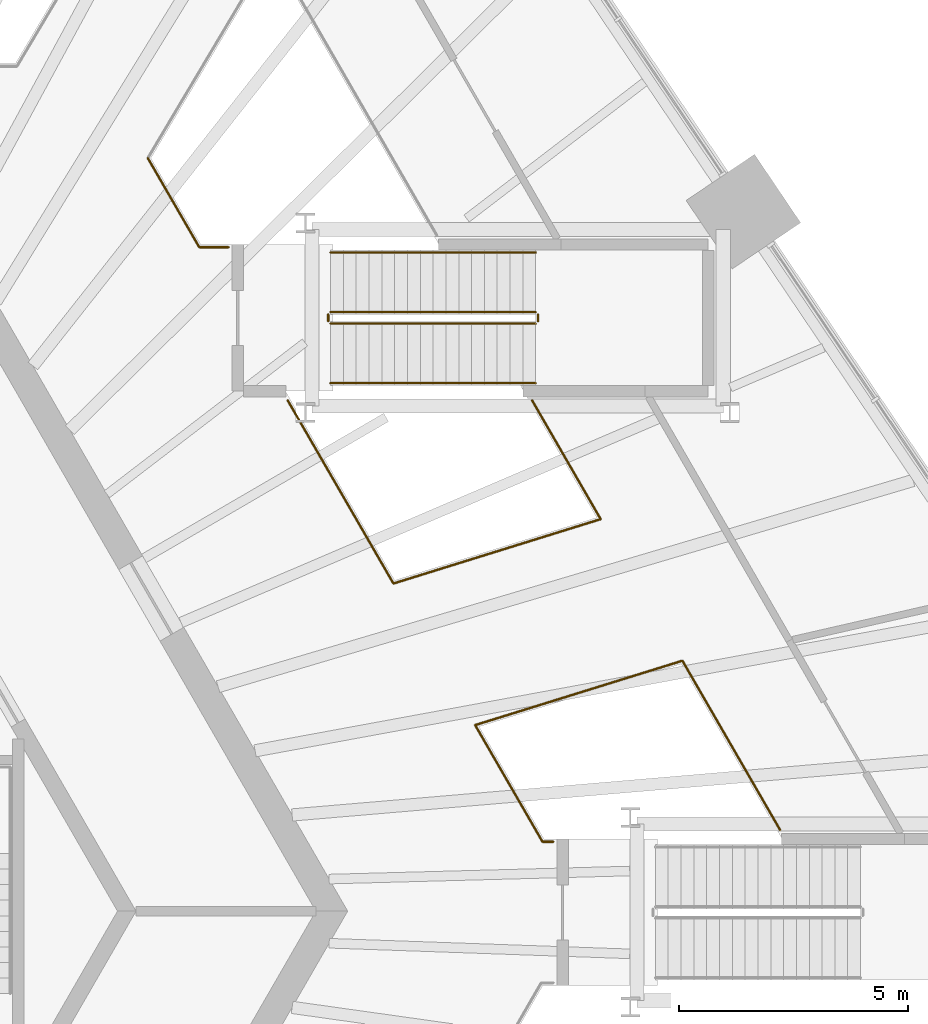
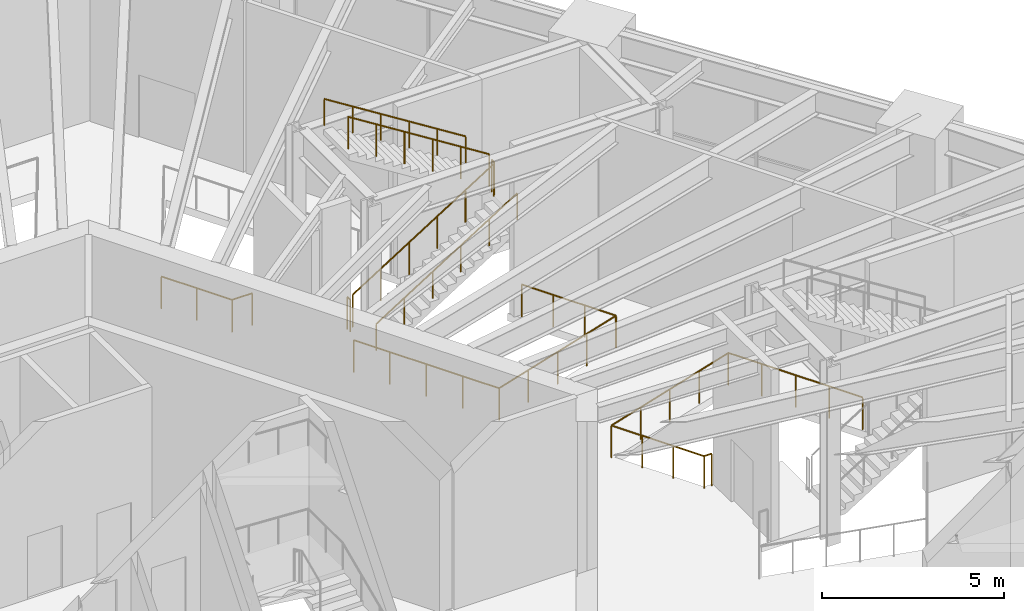
# One storey, part 31 of 32: 11 railings.
"""IFC4 building model written with IfcOpenShell, lengths in metres."""

from ifc_helpers import new_model, si_unit, direction, frame, origin, origin_2d, place, context, subcontext, project, spatial, circle, extrude, material, type_object, element, save


model = new_model("IFC4")

# Units and contexts
model_context = context("Model", 3, precision=1e-05, world=origin(), true_north=direction((0.0, 1.0)))
body_context = subcontext(model_context, "Body", "Model", "MODEL_VIEW")
ifc_project = project(units=[si_unit("LENGTHUNIT", "METRE"), si_unit("AREAUNIT", "SQUARE_METRE"), si_unit("VOLUMEUNIT", "CUBIC_METRE"), si_unit("PLANEANGLEUNIT", "RADIAN"), si_unit("MASSUNIT", "GRAM", prefix="KILO")], contexts=[model_context])

# Site, building, storey
site_placement = place(None, origin())
site = spatial("IfcSite", under=ifc_project, at=site_placement, CompositionType="ELEMENT")
building_placement = place(site_placement, origin())
building = spatial("IfcBuilding", under=site, at=building_placement, Name="Tarnside Tower", CompositionType="ELEMENT")
storey_placement = place(building_placement, frame((0.0, 0.0, 9.0)))
storey = spatial("IfcBuildingStorey", under=building, at=storey_placement, Name="L01", CompositionType="ELEMENT", Elevation=9.0)

# Railings
ifc_material_1 = material(Name="Safety glass", Category="glass")
railing_type_1 = type_object("IfcRailingType", Name="Guard 1100 glass", PredefinedType="GUARDRAIL", material=ifc_material_1)
railing_1_placement = place(storey_placement, frame((18.94775390625, 4.0615234375, 0.0)))
element("IfcRailing", 1, at=railing_1_placement, inside=storey, type_object=railing_type_1, Name="Guard 8", PredefinedType="GUARDRAIL", context=body_context, shape_type="SweptSolid", body=[
    extrude(circle(Radius=0.02392578125, at=origin_2d()), frame((0.0, 0.0, 1.076171875), z_axis=(0.955025891465, 0.296522421803, 0.0), x_axis=(-0.296522421803, 0.955025891465, 0.0)), (0.0, 0.0, 1.0), 4.73681640625),
    extrude(circle(Radius=0.02392578125, at=origin_2d()), frame((4.523681640625, 1.404541015625, 1.076171875), z_axis=(0.500001773409, -0.866024379904, 0.0), x_axis=(0.866024379904, 0.500001773409, 0.0)), (0.0, 0.0, 1.0), 4.26220703125),
    extrude(circle(Radius=0.02099609375, at=origin_2d()), origin(), (0.0, 0.0, 1.0), 1.052001953125),
    extrude(circle(Radius=0.02099609375, at=origin_2d()), frame((1.130859375, 0.35107421875, 0.0)), (0.0, 0.0, 1.0), 1.052001953125),
    extrude(circle(Radius=0.02099609375, at=origin_2d()), frame((2.26171875, 0.7021484375, 0.0)), (0.0, 0.0, 1.0), 1.052001953125),
    extrude(circle(Radius=0.02099609375, at=origin_2d()), frame((3.392822265625, 1.053466796875, 0.0)), (0.0, 0.0, 1.0), 1.052001953125),
    extrude(circle(Radius=0.02099609375, at=origin_2d()), frame((4.523681640625, 1.404541015625, 0.0)), (0.0, 0.0, 1.0), 1.052001953125),
    extrude(circle(Radius=0.02099609375, at=origin_2d()), frame((5.056396484375, 0.481689453125, 0.0)), (0.0, 0.0, 1.0), 1.052001953125),
    extrude(circle(Radius=0.02099609375, at=origin_2d()), frame((5.58935546875, -0.44091796875, 0.0)), (0.0, 0.0, 1.0), 1.052001953125),
    extrude(circle(Radius=0.02099609375, at=origin_2d()), frame((6.1220703125, -1.36376953125, 0.0)), (0.0, 0.0, 1.0), 1.052001953125),
    extrude(circle(Radius=0.02099609375, at=origin_2d()), frame((6.65478515625, -2.28662109375, 0.0)), (0.0, 0.0, 1.0), 1.052001953125),
])
railing_2_placement = place(storey_placement, frame((20.655029296875, 1.514892578125, 0.0)))
element("IfcRailing", 2, at=railing_2_placement, inside=storey, type_object=railing_type_1, Name="Guard 9", PredefinedType="GUARDRAIL", context=body_context, shape_type="SweptSolid", body=[
    extrude(circle(Radius=0.02392578125, at=origin_2d()), frame((0.0, 0.0, 1.076171875), z_axis=(-1.0, 0.0, 0.0), x_axis=(0.0, -1.0, 0.0)), (0.0, 0.0, 1.0), 0.237060546875),
    extrude(circle(Radius=0.02392578125, at=origin_2d()), frame((-0.237060546875, 0.0, 1.076171875), z_axis=(-0.499978787412, 0.866037650531, 0.0), x_axis=(-0.866037650531, -0.499978787412, 0.0)), (0.0, 0.0, 1.0), 2.940673828125),
    extrude(circle(Radius=0.02099609375, at=origin_2d()), origin(), (0.0, 0.0, 1.0), 1.052001953125),
    extrude(circle(Radius=0.02099609375, at=origin_2d()), frame((-0.237060546875, 0.0, 0.0)), (0.0, 0.0, 1.0), 1.052001953125),
    extrude(circle(Radius=0.02099609375, at=origin_2d()), frame((-0.72705078125, 0.848876953125, 0.0)), (0.0, 0.0, 1.0), 1.052001953125),
    extrude(circle(Radius=0.02099609375, at=origin_2d()), frame((-1.21728515625, 1.69775390625, 0.0)), (0.0, 0.0, 1.0), 1.052001953125),
    extrude(circle(Radius=0.02099609375, at=origin_2d()), frame((-1.707275390625, 2.546630859375, 0.0)), (0.0, 0.0, 1.0), 1.052001953125),
])
railing_3_placement = place(storey_placement, frame((17.163818359375, 7.1513671875, 0.0)))
element("IfcRailing", 3, at=railing_3_placement, inside=storey, type_object=railing_type_1, Name="Guard 10", PredefinedType="GUARDRAIL", context=body_context, shape_type="SweptSolid", body=[
    extrude(circle(Radius=0.02392578125, at=origin_2d()), frame((0.0, 0.0, 1.076171875), z_axis=(-0.500006237819, 0.866021802348, 0.0), x_axis=(-0.866021802348, -0.500006237819, 0.0)), (0.0, 0.0, 1.0), 4.6171875),
    extrude(circle(Radius=0.02099609375, at=origin_2d()), origin(), (0.0, 0.0, 1.0), 1.052001953125),
    extrude(circle(Radius=0.02099609375, at=origin_2d()), frame((-0.5771484375, 0.99951171875, 0.0)), (0.0, 0.0, 1.0), 1.052001953125),
    extrude(circle(Radius=0.02099609375, at=origin_2d()), frame((-1.154296875, 1.999267578125, 0.0)), (0.0, 0.0, 1.0), 1.052001953125),
    extrude(circle(Radius=0.02099609375, at=origin_2d()), frame((-1.7314453125, 2.9990234375, 0.0)), (0.0, 0.0, 1.0), 1.052001953125),
    extrude(circle(Radius=0.02099609375, at=origin_2d()), frame((-2.30859375, 3.99853515625, 0.0)), (0.0, 0.0, 1.0), 1.052001953125),
])
railing_4_placement = place(storey_placement, frame((20.18994140625, 11.14990234375, 0.0)))
element("IfcRailing", 4, at=railing_4_placement, inside=storey, type_object=railing_type_1, Name="Guard 11", PredefinedType="GUARDRAIL", context=body_context, shape_type="SweptSolid", body=[
    extrude(circle(Radius=0.02392578125, at=origin_2d()), frame((0.0, 0.0, 1.076171875), z_axis=(0.500014106551, -0.86601725921, 0.0), x_axis=(0.86601725921, 0.500014106551, 0.0)), (0.0, 0.0, 1.0), 2.9951171875),
    extrude(circle(Radius=0.02392578125, at=origin_2d()), frame((1.49755859375, -2.59375, 1.076171875), z_axis=(-0.955011294464, -0.296569431073, 0.0), x_axis=(0.296569431073, -0.955011294464, 0.0)), (0.0, 0.0, 1.0), 4.73681640625),
    extrude(circle(Radius=0.02099609375, at=origin_2d()), origin(), (0.0, 0.0, 1.0), 1.052001953125),
    extrude(circle(Radius=0.02099609375, at=origin_2d()), frame((0.499267578125, -0.864501953125, 0.0)), (0.0, 0.0, 1.0), 1.052001953125),
    extrude(circle(Radius=0.02099609375, at=origin_2d()), frame((0.998291015625, -1.729248046875, 0.0)), (0.0, 0.0, 1.0), 1.052001953125),
    extrude(circle(Radius=0.02099609375, at=origin_2d()), frame((1.49755859375, -2.59375, 0.0)), (0.0, 0.0, 1.0), 1.052001953125),
    extrude(circle(Radius=0.02099609375, at=origin_2d()), frame((0.36669921875, -2.94482421875, 0.0)), (0.0, 0.0, 1.0), 1.052001953125),
    extrude(circle(Radius=0.02099609375, at=origin_2d()), frame((-0.76416015625, -3.296142578125, 0.0)), (0.0, 0.0, 1.0), 1.052001953125),
    extrude(circle(Radius=0.02099609375, at=origin_2d()), frame((-1.895263671875, -3.6474609375, 0.0)), (0.0, 0.0, 1.0), 1.052001953125),
    extrude(circle(Radius=0.02099609375, at=origin_2d()), frame((-3.026123046875, -3.99853515625, 0.0)), (0.0, 0.0, 1.0), 1.052001953125),
])
railing_5_placement = place(storey_placement, frame((13.56494140625, 14.489990234375, 0.0)))
element("IfcRailing", 5, at=railing_5_placement, inside=storey, type_object=railing_type_1, Name="Guard 13", PredefinedType="GUARDRAIL", context=body_context, shape_type="SweptSolid", body=[
    extrude(circle(Radius=0.02392578125, at=origin_2d()), frame((0.0, 0.0, 1.076171875), z_axis=(-1.0, 0.0, 0.0), x_axis=(0.0, -1.0, 0.0)), (0.0, 0.0, 1.0), 0.63818359375),
    extrude(circle(Radius=0.02392578125, at=origin_2d()), frame((-0.63818359375, 0.0, 1.076171875), z_axis=(-0.499948150995, 0.866055336752, 0.0), x_axis=(-0.866055336752, -0.499948150995, 0.0)), (0.0, 0.0, 1.0), 2.247314453125),
    extrude(circle(Radius=0.02099609375, at=origin_2d()), origin(), (0.0, 0.0, 1.0), 1.052001953125),
    extrude(circle(Radius=0.02099609375, at=origin_2d()), frame((-0.63818359375, 0.0, 0.0)), (0.0, 0.0, 1.0), 1.052001953125),
    extrude(circle(Radius=0.02099609375, at=origin_2d()), frame((-1.199951171875, 0.97314453125, 0.0)), (0.0, 0.0, 1.0), 1.052001953125),
    extrude(circle(Radius=0.02099609375, at=origin_2d()), frame((-1.76171875, 1.9462890625, 0.0)), (0.0, 0.0, 1.0), 1.052001953125),
])
ifc_material_2 = material(Name="Stainless steel", Category="steel")
railing_type_2 = type_object("IfcRailingType", Name="Podium stair guard 1100", PredefinedType="GUARDRAIL", material=ifc_material_2)
railing_6_placement = place(storey_placement, frame((15.7900390625, 12.824951171875, 0.176513671875)))
element("IfcRailing", 6, at=railing_6_placement, inside=storey, type_object=railing_type_2, Name="L01 PS4 stair guard 1", PredefinedType="GUARDRAIL", context=body_context, shape_type="SweptSolid", body=[
    extrude(circle(Radius=0.02392578125, at=origin_2d()), frame((0.0, 0.0, 1.076171875), z_axis=(0.845997938375, 0.0, 0.533186166611), x_axis=(0.0, 1.0, 0.0)), (0.0, 0.0, 1.0), 5.29541015625),
    extrude(circle(Radius=0.02099609375, at=origin_2d()), origin(), (0.0, 0.0, 1.0), 1.052001953125),
    extrude(circle(Radius=0.02099609375, at=origin_2d()), frame((0.89599609375, 0.0, 0.564697265625)), (0.0, 0.0, 1.0), 1.052001953125),
    extrude(circle(Radius=0.02099609375, at=origin_2d()), frame((1.7919921875, 0.0, 1.12939453125)), (0.0, 0.0, 1.0), 1.052001953125),
    extrude(circle(Radius=0.02099609375, at=origin_2d()), frame((2.68798828125, 0.0, 1.694091796875)), (0.0, 0.0, 1.0), 1.052001953125),
    extrude(circle(Radius=0.02099609375, at=origin_2d()), frame((3.583984375, 0.0, 2.2587890625)), (0.0, 0.0, 1.0), 1.052001953125),
    extrude(circle(Radius=0.02099609375, at=origin_2d()), frame((4.47998046875, 0.0, 2.823486328125)), (0.0, 0.0, 1.0), 1.052001953125),
])
railing_7_placement = place(storey_placement, frame((20.320068359375, 12.875, 3.0)))
element("IfcRailing", 7, at=railing_7_placement, inside=storey, type_object=railing_type_2, Name="L01 PS4 stair guard 2", PredefinedType="GUARDRAIL", context=body_context, shape_type="SweptSolid", body=[
    extrude(circle(Radius=0.02392578125, at=origin_2d()), frame((0.0, 0.0, 1.076171875), z_axis=(0.0, 1.0, 0.0), x_axis=(-1.0, 0.0, 0.0)), (0.0, 0.0, 1.0), 0.14990234375),
    extrude(circle(Radius=0.02099609375, at=origin_2d()), origin(), (0.0, 0.0, 1.0), 1.052001953125),
    extrude(circle(Radius=0.02099609375, at=origin_2d()), frame((0.0, 0.14990234375, 0.0)), (0.0, 0.0, 1.0), 1.052001953125),
])
railing_8_placement = place(storey_placement, frame((20.27001953125, 13.074951171875, 3.176513671875)))
element("IfcRailing", 8, at=railing_8_placement, inside=storey, type_object=railing_type_2, Name="L01 PS4 stair guard 3", PredefinedType="GUARDRAIL", context=body_context, shape_type="SweptSolid", body=[
    extrude(circle(Radius=0.02392578125, at=origin_2d()), frame((0.0, 0.0, 1.076171875), z_axis=(-0.845997938375, 0.0, 0.533186166611), x_axis=(0.0, -1.0, 0.0)), (0.0, 0.0, 1.0), 5.29541015625),
    extrude(circle(Radius=0.02099609375, at=origin_2d()), origin(), (0.0, 0.0, 1.0), 1.052001953125),
    extrude(circle(Radius=0.02099609375, at=origin_2d()), frame((-0.89599609375, 0.0, 0.564697265625)), (0.0, 0.0, 1.0), 1.052001953125),
    extrude(circle(Radius=0.02099609375, at=origin_2d()), frame((-1.7919921875, 0.0, 1.12939453125)), (0.0, 0.0, 1.0), 1.052001953125),
    extrude(circle(Radius=0.02099609375, at=origin_2d()), frame((-2.68798828125, 0.0, 1.694091796875)), (0.0, 0.0, 1.0), 1.052001953125),
    extrude(circle(Radius=0.02099609375, at=origin_2d()), frame((-3.583984375, 0.0, 2.2587890625)), (0.0, 0.0, 1.0), 1.052001953125),
    extrude(circle(Radius=0.02099609375, at=origin_2d()), frame((-4.47998046875, 0.0, 2.823486328125)), (0.0, 0.0, 1.0), 1.052001953125),
])
railing_9_placement = place(storey_placement, frame((15.739990234375, 12.875, 0.0)))
element("IfcRailing", 9, at=railing_9_placement, inside=storey, type_object=railing_type_2, Name="L01 PS4 stair guard 4", PredefinedType="GUARDRAIL", context=body_context, shape_type="SweptSolid", body=[
    extrude(circle(Radius=0.02392578125, at=origin_2d()), frame((0.0, 0.0, 1.076171875), z_axis=(0.0, 1.0, 0.0), x_axis=(-1.0, 0.0, 0.0)), (0.0, 0.0, 1.0), 0.14990234375),
    extrude(circle(Radius=0.02099609375, at=origin_2d()), origin(), (0.0, 0.0, 1.0), 1.052001953125),
    extrude(circle(Radius=0.02099609375, at=origin_2d()), frame((0.0, 0.14990234375, 0.0)), (0.0, 0.0, 1.0), 1.052001953125),
])
railing_type_3 = type_object("IfcRailingType", Name="Podium stair handrail 900", PredefinedType="HANDRAIL", material=ifc_material_2)
railing_10_placement = place(storey_placement, frame((15.7900390625, 11.52490234375, 0.176513671875)))
element("IfcRailing", 10, at=railing_10_placement, inside=storey, type_object=railing_type_3, Name="L01 PS4 stair handrail 1", PredefinedType="HANDRAIL", context=body_context, shape_type="SweptSolid", body=[
    extrude(circle(Radius=0.02392578125, at=origin_2d()), frame((0.0, 0.0, 0.8857421875), z_axis=(0.845997938375, 0.0, 0.533186166611), x_axis=(0.0, 1.0, 0.0)), (0.0, 0.0, 1.0), 5.29541015625),
    extrude(circle(Radius=0.02099609375, at=origin_2d()), origin(), (0.0, 0.0, 1.0), 0.86181640625),
    extrude(circle(Radius=0.02099609375, at=origin_2d()), frame((0.89599609375, 0.0, 0.564697265625)), (0.0, 0.0, 1.0), 0.86181640625),
    extrude(circle(Radius=0.02099609375, at=origin_2d()), frame((1.7919921875, 0.0, 1.12939453125)), (0.0, 0.0, 1.0), 0.86181640625),
    extrude(circle(Radius=0.02099609375, at=origin_2d()), frame((2.68798828125, 0.0, 1.694091796875)), (0.0, 0.0, 1.0), 0.86181640625),
    extrude(circle(Radius=0.02099609375, at=origin_2d()), frame((3.583984375, 0.0, 2.2587890625)), (0.0, 0.0, 1.0), 0.86181640625),
    extrude(circle(Radius=0.02099609375, at=origin_2d()), frame((4.47998046875, 0.0, 2.823486328125)), (0.0, 0.0, 1.0), 0.86181640625),
])
railing_11_placement = place(storey_placement, frame((20.27001953125, 14.375, 3.176513671875)))
element("IfcRailing", 11, at=railing_11_placement, inside=storey, type_object=railing_type_3, Name="L01 PS4 stair handrail 2", PredefinedType="HANDRAIL", context=body_context, shape_type="SweptSolid", body=[
    extrude(circle(Radius=0.02392578125, at=origin_2d()), frame((0.0, 0.0, 0.8857421875), z_axis=(-0.845997938375, 0.0, 0.533186166611), x_axis=(0.0, -1.0, 0.0)), (0.0, 0.0, 1.0), 5.29541015625),
    extrude(circle(Radius=0.02099609375, at=origin_2d()), origin(), (0.0, 0.0, 1.0), 0.86181640625),
    extrude(circle(Radius=0.02099609375, at=origin_2d()), frame((-0.89599609375, 0.0, 0.564697265625)), (0.0, 0.0, 1.0), 0.86181640625),
    extrude(circle(Radius=0.02099609375, at=origin_2d()), frame((-1.7919921875, 0.0, 1.12939453125)), (0.0, 0.0, 1.0), 0.86181640625),
    extrude(circle(Radius=0.02099609375, at=origin_2d()), frame((-2.68798828125, 0.0, 1.694091796875)), (0.0, 0.0, 1.0), 0.86181640625),
    extrude(circle(Radius=0.02099609375, at=origin_2d()), frame((-3.583984375, 0.0, 2.2587890625)), (0.0, 0.0, 1.0), 0.86181640625),
    extrude(circle(Radius=0.02099609375, at=origin_2d()), frame((-4.47998046875, 0.0, 2.823486328125)), (0.0, 0.0, 1.0), 0.86181640625),
])

save(model, "model.ifc")
